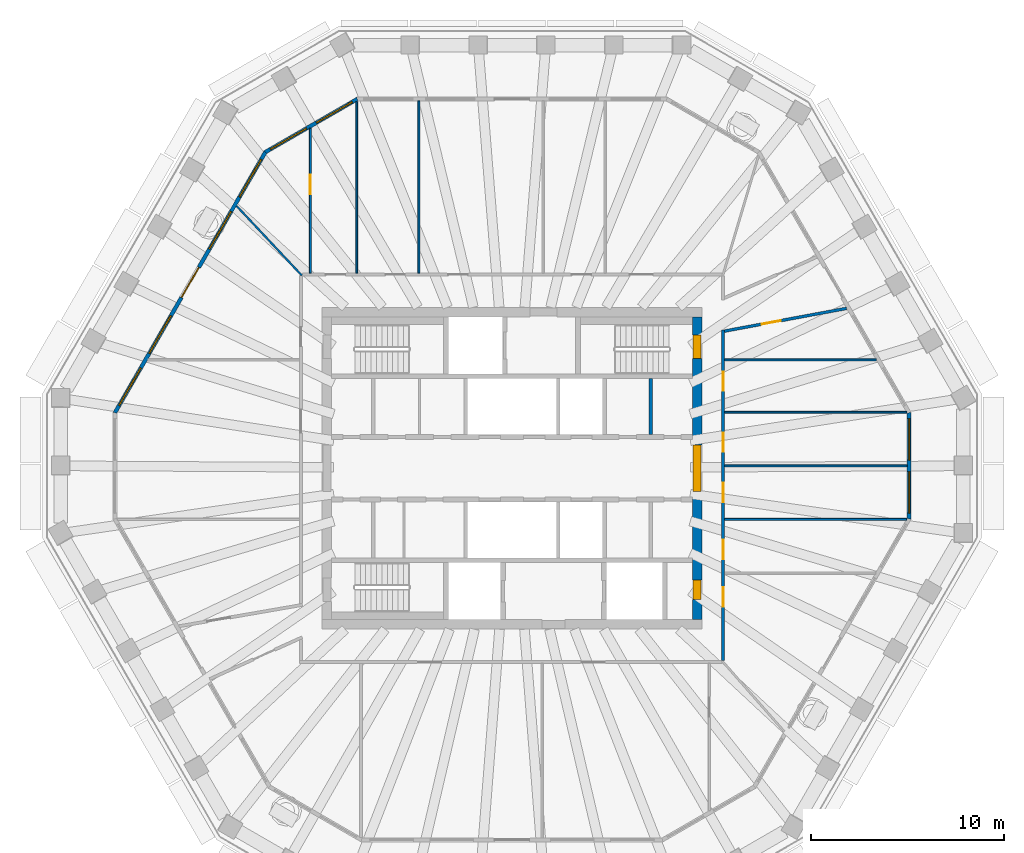
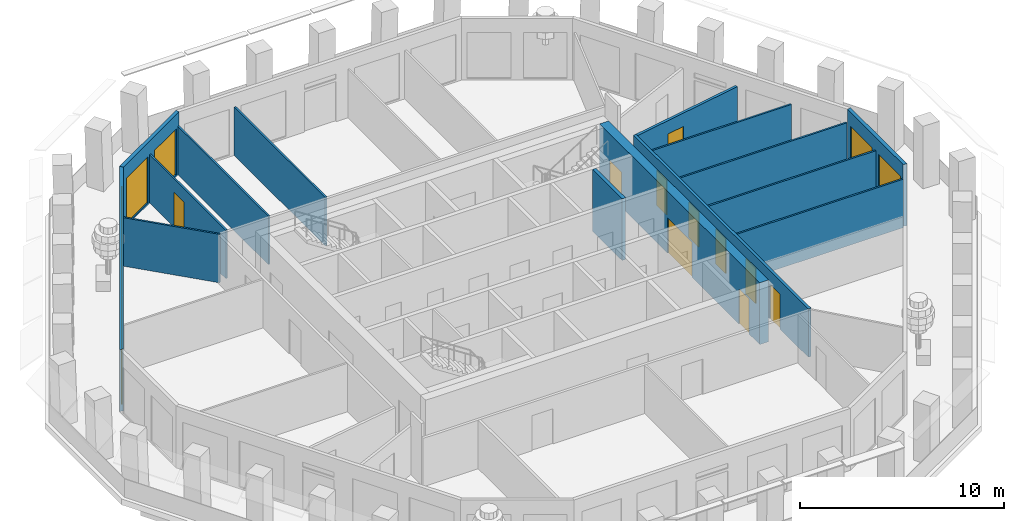
# One storey, part 6 of 12: 15 walls, 11 doors, 9 windows, 20 openings.
"""IFC4 building model written with IfcOpenShell, lengths in metres."""

from ifc_helpers import new_model, si_unit, direction, frame, frame_2d, origin, place, context, subcontext, project, spatial, polyline, rectangle, outline, extrude, material, layer, layer_set, type_object, element, fill, save


model = new_model("IFC4")

# Units and contexts
model_context = context("Model", 3, precision=1e-05, world=origin(), true_north=direction((0.0, 1.0)))
body_context = subcontext(model_context, "Body", "Model", "MODEL_VIEW")
ifc_project = project(units=[si_unit("LENGTHUNIT", "METRE"), si_unit("AREAUNIT", "SQUARE_METRE"), si_unit("VOLUMEUNIT", "CUBIC_METRE"), si_unit("PLANEANGLEUNIT", "RADIAN"), si_unit("MASSUNIT", "GRAM", prefix="KILO")], contexts=[model_context])

# Site, building, storey
site_placement = place(None, origin())
site = spatial("IfcSite", under=ifc_project, at=site_placement, CompositionType="ELEMENT")
building_placement = place(site_placement, origin())
building = spatial("IfcBuilding", under=site, at=building_placement, Name="Frailejon Research Tower", CompositionType="ELEMENT")
storey_placement = place(building_placement, frame((0.0, 0.0, 267.0)))
storey = spatial("IfcBuildingStorey", under=building, at=storey_placement, Name="L58", CompositionType="ELEMENT", Elevation=267.0)

# Wall, openings, doors
ifc_material_1 = material(Name="Concrete C50/60", Category="concrete")
ifc_layer_1 = layer(ifc_material_1, 0.5)
ifc_layer_set_1 = layer_set([ifc_layer_1], Name="Core shear wall 500 C50/60")
wall_type_1 = type_object("IfcWallType", Name="Core shear wall 500 C50/60", PredefinedType="SHEAR", material=ifc_layer_set_1)
wall_1_placement = place(storey_placement, frame((9.60009765625, -7.85009765625, 0.0), z_axis=(0.0, 0.0, 1.0), x_axis=(0.0, 1.0, 0.0)))
wall_1 = element("IfcWall", 1, at=wall_1_placement, inside=storey, type_object=wall_type_1, Name="Core shear wall", PredefinedType="SHEAR", context=body_context, shape_type="SweptSolid", body=[
    extrude(rectangle(XDim=15.7001953125, YDim=0.5, at=frame_2d((7.85009765625, 0.0))), origin(), (0.0, 0.0, 1.0), 3.699951171875),
])
opening_1_placement = place(wall_1_placement, frame((6.64990234375, 0.0, 0.0)))
opening_1 = element("IfcOpeningElement", 2, at=opening_1_placement, cuts=wall_1, Name="Opening D2", PredefinedType="OPENING", context=body_context, shape_type="SweptSolid", body=[
    extrude(rectangle(XDim=2.39990234375, YDim=2.10009765625, at=frame_2d((1.199951171875, 1.050048828125))), frame((0.0, 0.260009765625, 0.0), z_axis=(0.0, -1.0, 0.0), x_axis=(1.0, 0.0, 0.0)), (0.0, 0.0, 1.0), 0.52001953125),
])
opening_2_placement = place(wall_1_placement, frame((13.550048828125, 0.0, 0.0)))
opening_2 = element("IfcOpeningElement", 3, at=opening_2_placement, cuts=wall_1, Name="Opening D1", PredefinedType="OPENING", context=body_context, shape_type="SweptSolid", body=[
    extrude(rectangle(XDim=1.199951171875, YDim=2.10009765625, at=frame_2d((0.60009765625, 1.050048828125))), frame((0.0, 0.260009765625, 0.0), z_axis=(0.0, -1.0, 0.0), x_axis=(1.0, 0.0, 0.0)), (0.0, 0.0, 1.0), 0.52001953125),
])
opening_3_placement = place(wall_1_placement, frame((1.050048828125, 0.0, 0.0)))
opening_3 = element("IfcOpeningElement", 4, at=opening_3_placement, cuts=wall_1, Name="Opening D4", PredefinedType="OPENING", context=body_context, shape_type="SweptSolid", body=[
    extrude(rectangle(XDim=1.0, YDim=2.10009765625, at=frame_2d((0.5, 1.050048828125))), frame((0.0, 0.260009765625, 0.0), z_axis=(0.0, -1.0, 0.0), x_axis=(1.0, 0.0, 0.0)), (0.0, 0.0, 1.0), 0.52001953125),
])
ifc_material_2 = material(Name="Steel", Category="steel")
door_type_1 = type_object("IfcDoorType", Name="Lobby double door", OperationType="DOUBLE_DOOR_SINGLE_SWING", PredefinedType="DOOR", material=ifc_material_2)
door_1_placement = place(opening_1_placement, origin())
door_1 = element("IfcDoor", 5, at=door_1_placement, inside=storey, type_object=door_type_1, Name="Lobby door", OperationType="DOUBLE_DOOR_SINGLE_SWING", OverallHeight=2.10009765625, OverallWidth=2.39990234375, PredefinedType="DOOR", context=body_context, shape_type="SweptSolid", body=[
    extrude(rectangle(XDim=2.39990234375, YDim=2.10009765625, at=frame_2d((1.199951171875, 1.050048828125))), frame((0.0, 0.199951171875, 0.0), z_axis=(0.0, -1.0, 0.0), x_axis=(1.0, 0.0, 0.0)), (0.0, 0.0, 1.0), 0.39990234375),
])
fill(opening_1, door_1)
ifc_material_3 = material(Name="Steel", Category="steel")
door_type_2 = type_object("IfcDoorType", Name="Service door", OperationType="SINGLE_SWING_LEFT", PredefinedType="DOOR", material=ifc_material_3)
door_2_placement = place(opening_3_placement, origin())
door_2 = element("IfcDoor", 6, at=door_2_placement, inside=storey, type_object=door_type_2, Name="Riser door", OperationType="SINGLE_SWING_LEFT", OverallHeight=2.10009765625, OverallWidth=1.0, PredefinedType="DOOR", context=body_context, shape_type="SweptSolid", body=[
    extrude(rectangle(XDim=1.0, YDim=2.10009765625, at=frame_2d((0.5, 1.050048828125))), frame((0.0, 0.199951171875, 0.0), z_axis=(0.0, -1.0, 0.0), x_axis=(1.0, 0.0, 0.0)), (0.0, 0.0, 1.0), 0.39990234375),
])
fill(opening_3, door_2)
ifc_material_4 = material(Name="Steel", Category="steel")
door_type_3 = type_object("IfcDoorType", Name="Stair door", OperationType="SINGLE_SWING_LEFT", PredefinedType="DOOR", material=ifc_material_4)
door_3_placement = place(opening_2_placement, origin())
door_3 = element("IfcDoor", 7, at=door_3_placement, inside=storey, type_object=door_type_3, Name="Stair door ST3", OperationType="SINGLE_SWING_RIGHT", OverallHeight=2.10009765625, OverallWidth=1.199951171875, PredefinedType="DOOR", context=body_context, shape_type="SweptSolid", body=[
    extrude(rectangle(XDim=1.199951171875, YDim=2.10009765625, at=frame_2d((0.60009765625, 1.050048828125))), frame((0.0, 0.199951171875, 0.0), z_axis=(0.0, -1.0, 0.0), x_axis=(1.0, 0.0, 0.0)), (0.0, 0.0, 1.0), 0.39990234375),
])
fill(opening_2, door_3)

# Wall, opening, door
ifc_material_5 = material(Name="Gypsum board and masonry partition", Category="masonry")
ifc_layer_2 = layer(ifc_material_5, 0.14990234375)
ifc_layer_set_2 = layer_set([ifc_layer_2], Name="Corridor wall EI 60, gypsum on steel studs 150")
wall_type_2 = type_object("IfcWallType", Name="Corridor wall EI 60, gypsum on steel studs 150", PredefinedType="PARTITIONING", material=ifc_layer_set_2)
wall_2_placement = place(storey_placement, frame((11.023681640625, 7.11376953125, 0.0), z_axis=(0.0, 0.0, 1.0), x_axis=(0.983112128924, 0.183004212962, 0.0)))
wall_2 = element("IfcWall", 8, at=wall_2_placement, inside=storey, type_object=wall_type_2, Name="T:IW:L58:001", PredefinedType="PARTITIONING", context=body_context, shape_type="SweptSolid", body=[
    extrude(rectangle(XDim=6.439453125, YDim=0.14990234375, at=frame_2d((3.2197265625, 0.0))), origin(), (0.0, 0.0, 1.0), 2.89990234375),
])
opening_4_placement = place(wall_2_placement, frame((1.960205078125, 0.0, 0.0)))
opening_4 = element("IfcOpeningElement", 9, at=opening_4_placement, cuts=wall_2, Name="Opening D2113", PredefinedType="OPENING", context=body_context, shape_type="SweptSolid", body=[
    extrude(rectangle(XDim=1.0, YDim=2.10009765625, at=frame_2d((0.5, 1.050048828125))), frame((0.0, 0.0849609375, 0.0), z_axis=(0.0, -1.0, 0.0), x_axis=(1.0, 0.0, 0.0)), (0.0, 0.0, 1.0), 0.169921875),
])
ifc_material_6 = material(Name="Timber door leaf", Category="wood")
door_type_4 = type_object("IfcDoorType", Name="Door single leaf, timber, steel frame 1000", OperationType="NOTDEFINED", PredefinedType="DOOR", material=ifc_material_6)
door_4_placement = place(opening_4_placement, origin())
door_4 = element("IfcDoor", 10, at=door_4_placement, inside=storey, type_object=door_type_4, Name="D2113", OperationType="SINGLE_SWING_RIGHT", OverallHeight=2.10009765625, OverallWidth=1.0, PredefinedType="DOOR", context=body_context, shape_type="SweptSolid", body=[
    extrude(rectangle(XDim=1.0, YDim=2.10009765625, at=frame_2d((0.5, 1.050048828125))), frame((0.0, 0.02490234375, 0.0), z_axis=(0.0, -1.0, 0.0), x_axis=(1.0, 0.0, 0.0)), (0.0, 0.0, 1.0), 0.050048828125),
])
fill(opening_4, door_4)

# Wall, openings, doors
wall_3_placement = place(storey_placement, frame((10.949951171875, -9.97509765625, 0.0), z_axis=(0.0, 0.0, 1.0), x_axis=(0.0, 1.0, 0.0)))
wall_3 = element("IfcWall", 11, at=wall_3_placement, inside=storey, type_object=wall_type_2, Name="T:IW:L58:003", PredefinedType="PARTITIONING", context=body_context, shape_type="SweptSolid", body=[
    extrude(rectangle(XDim=17.150146484375, YDim=0.14990234375, at=frame_2d((8.5751953125, 0.0))), origin(), (0.0, 0.0, 1.0), 2.89990234375),
])
opening_5_placement = place(wall_3_placement, frame((10.828125, 0.0, 0.0)))
opening_5 = element("IfcOpeningElement", 12, at=opening_5_placement, cuts=wall_3, Name="Opening D2111", PredefinedType="OPENING", context=body_context, shape_type="SweptSolid", body=[
    extrude(rectangle(XDim=1.0, YDim=2.10009765625, at=frame_2d((0.5, 1.050048828125))), frame((0.0, 0.0849609375, 0.0), z_axis=(0.0, -1.0, 0.0), x_axis=(1.0, 0.0, 0.0)), (0.0, 0.0, 1.0), 0.169921875),
])
opening_6_placement = place(wall_3_placement, frame((13.9892578125, 0.0, 0.0)))
opening_6 = element("IfcOpeningElement", 13, at=opening_6_placement, cuts=wall_3, Name="Opening D2112", PredefinedType="OPENING", context=body_context, shape_type="SweptSolid", body=[
    extrude(rectangle(XDim=1.0, YDim=2.10009765625, at=frame_2d((0.5, 1.050048828125))), frame((0.0, 0.0849609375, 0.0), z_axis=(0.0, -1.0, 0.0), x_axis=(1.0, 0.0, 0.0)), (0.0, 0.0, 1.0), 0.169921875),
])
opening_7_placement = place(wall_3_placement, frame((2.80224609375, 0.0, 0.0)))
opening_7 = element("IfcOpeningElement", 14, at=opening_7_placement, cuts=wall_3, Name="Opening D2128", PredefinedType="OPENING", context=body_context, shape_type="SweptSolid", body=[
    extrude(rectangle(XDim=1.0, YDim=2.10009765625, at=frame_2d((0.5, 1.050048828125))), frame((0.0, 0.0849609375, 0.0), z_axis=(0.0, -1.0, 0.0), x_axis=(1.0, 0.0, 0.0)), (0.0, 0.0, 1.0), 0.169921875),
])
opening_8_placement = place(wall_3_placement, frame((5.264404296875, 0.0, 0.0)))
opening_8 = element("IfcOpeningElement", 15, at=opening_8_placement, cuts=wall_3, Name="Opening D2129", PredefinedType="OPENING", context=body_context, shape_type="SweptSolid", body=[
    extrude(rectangle(XDim=1.0, YDim=2.10009765625, at=frame_2d((0.5, 1.050048828125))), frame((0.0, 0.0849609375, 0.0), z_axis=(0.0, -1.0, 0.0), x_axis=(1.0, 0.0, 0.0)), (0.0, 0.0, 1.0), 0.169921875),
])
opening_9_placement = place(wall_3_placement, frame((8.21142578125, 0.0, 0.0)))
opening_9 = element("IfcOpeningElement", 16, at=opening_9_placement, cuts=wall_3, Name="Opening D2130", PredefinedType="OPENING", context=body_context, shape_type="SweptSolid", body=[
    extrude(rectangle(XDim=1.0, YDim=2.10009765625, at=frame_2d((0.5, 1.050048828125))), frame((0.0, 0.0849609375, 0.0), z_axis=(0.0, -1.0, 0.0), x_axis=(1.0, 0.0, 0.0)), (0.0, 0.0, 1.0), 0.169921875),
])
door_5_placement = place(opening_5_placement, origin())
door_5 = element("IfcDoor", 17, at=door_5_placement, inside=storey, type_object=door_type_4, Name="D2111", OperationType="SINGLE_SWING_LEFT", OverallHeight=2.10009765625, OverallWidth=1.0, PredefinedType="DOOR", context=body_context, shape_type="SweptSolid", body=[
    extrude(rectangle(XDim=1.0, YDim=2.10009765625, at=frame_2d((0.5, 1.050048828125))), frame((0.0, 0.02490234375, 0.0), z_axis=(0.0, -1.0, 0.0), x_axis=(1.0, 0.0, 0.0)), (0.0, 0.0, 1.0), 0.050048828125),
])
fill(opening_5, door_5)
door_6_placement = place(opening_6_placement, origin())
door_6 = element("IfcDoor", 18, at=door_6_placement, inside=storey, type_object=door_type_4, Name="D2112", OperationType="SINGLE_SWING_LEFT", OverallHeight=2.10009765625, OverallWidth=1.0, PredefinedType="DOOR", context=body_context, shape_type="SweptSolid", body=[
    extrude(rectangle(XDim=1.0, YDim=2.10009765625, at=frame_2d((0.5, 1.050048828125))), frame((0.0, 0.02490234375, 0.0), z_axis=(0.0, -1.0, 0.0), x_axis=(1.0, 0.0, 0.0)), (0.0, 0.0, 1.0), 0.050048828125),
])
fill(opening_6, door_6)
door_7_placement = place(opening_7_placement, origin())
door_7 = element("IfcDoor", 19, at=door_7_placement, inside=storey, type_object=door_type_4, Name="D2128", OperationType="SINGLE_SWING_LEFT", OverallHeight=2.10009765625, OverallWidth=1.0, PredefinedType="DOOR", context=body_context, shape_type="SweptSolid", body=[
    extrude(rectangle(XDim=1.0, YDim=2.10009765625, at=frame_2d((0.5, 1.050048828125))), frame((0.0, 0.02490234375, 0.0), z_axis=(0.0, -1.0, 0.0), x_axis=(1.0, 0.0, 0.0)), (0.0, 0.0, 1.0), 0.050048828125),
])
fill(opening_7, door_7)
door_8_placement = place(opening_8_placement, origin())
door_8 = element("IfcDoor", 20, at=door_8_placement, inside=storey, type_object=door_type_4, Name="D2129", OperationType="SINGLE_SWING_RIGHT", OverallHeight=2.10009765625, OverallWidth=1.0, PredefinedType="DOOR", context=body_context, shape_type="SweptSolid", body=[
    extrude(rectangle(XDim=1.0, YDim=2.10009765625, at=frame_2d((0.5, 1.050048828125))), frame((0.0, 0.02490234375, 0.0), z_axis=(0.0, -1.0, 0.0), x_axis=(1.0, 0.0, 0.0)), (0.0, 0.0, 1.0), 0.050048828125),
])
fill(opening_8, door_8)
door_9_placement = place(opening_9_placement, origin())
door_9 = element("IfcDoor", 21, at=door_9_placement, inside=storey, type_object=door_type_4, Name="D2130", OperationType="SINGLE_SWING_LEFT", OverallHeight=2.10009765625, OverallWidth=1.0, PredefinedType="DOOR", context=body_context, shape_type="SweptSolid", body=[
    extrude(rectangle(XDim=1.0, YDim=2.10009765625, at=frame_2d((0.5, 1.050048828125))), frame((0.0, 0.02490234375, 0.0), z_axis=(0.0, -1.0, 0.0), x_axis=(1.0, 0.0, 0.0)), (0.0, 0.0, 1.0), 0.050048828125),
])
fill(opening_9, door_9)

# Walls
ifc_material_7 = material(Name="Gypsum board and masonry partition", Category="masonry")
ifc_layer_3 = layer(ifc_material_7, 0.10009765625)
ifc_layer_set_3 = layer_set([ifc_layer_3], Name="Partition, gypsum on steel studs 100")
wall_type_3 = type_object("IfcWallType", Name="Partition, gypsum on steel studs 100", PredefinedType="PARTITIONING", material=ifc_layer_set_3)
wall_4_placement = place(storey_placement, frame((11.02490234375, 2.904296875, 0.0), z_axis=(0.0, 0.0, 1.0), x_axis=(1.0, 0.0, 0.0)))
element("IfcWall", 22, at=wall_4_placement, inside=storey, type_object=wall_type_3, Name="T:IW:L58:012", PredefinedType="PARTITIONING", context=body_context, shape_type="SweptSolid", body=[
    extrude(rectangle(XDim=9.440673828125, YDim=0.10009765625, at=frame_2d((4.72021484375, 0.0))), origin(), (0.0, 0.0, 1.0), 2.89990234375),
])
wall_5_placement = place(storey_placement, frame((11.02490234375, 0.125732421875, 0.0), z_axis=(0.0, 0.0, 1.0), x_axis=(1.0, 0.0, 0.0)))
element("IfcWall", 23, at=wall_5_placement, inside=storey, type_object=wall_type_3, Name="T:IW:L58:013", PredefinedType="PARTITIONING", context=body_context, shape_type="SweptSolid", body=[
    extrude(rectangle(XDim=9.471435546875, YDim=0.10009765625, at=frame_2d((4.73583984375, 0.0))), origin(), (0.0, 0.0, 1.0), 2.89990234375),
])
wall_6_placement = place(storey_placement, frame((11.02490234375, 5.61767578125, 0.0), z_axis=(0.0, 0.0, 1.0), x_axis=(1.0, 0.0, 0.0)))
element("IfcWall", 24, at=wall_6_placement, inside=storey, type_object=wall_type_3, Name="T:IW:L58:015", PredefinedType="PARTITIONING", context=body_context, shape_type="SweptSolid", body=[
    extrude(rectangle(XDim=7.873779296875, YDim=0.10009765625, at=frame_2d((3.93701171875, 0.0))), origin(), (0.0, 0.0, 1.0), 2.89990234375),
])
wall_7_placement = place(storey_placement, frame((-4.83056640625, 10.125, 0.0), z_axis=(0.0, 0.0, 1.0), x_axis=(0.0, 1.0, 0.0)))
element("IfcWall", 25, at=wall_7_placement, inside=storey, type_object=wall_type_3, Name="T:IW:L58:019", PredefinedType="PARTITIONING", context=body_context, shape_type="SweptSolid", body=[
    extrude(rectangle(XDim=8.925048828125, YDim=0.10009765625, at=frame_2d((4.46240234375, 0.0))), origin(), (0.0, 0.0, 1.0), 2.89990234375),
])
wall_8_placement = place(storey_placement, frame((-8.05078125, 10.125, 0.0), z_axis=(0.0, 0.0, 1.0), x_axis=(0.0, 1.0, 0.0)))
element("IfcWall", 26, at=wall_8_placement, inside=storey, type_object=wall_type_3, Name="T:IW:L58:020", PredefinedType="PARTITIONING", context=body_context, shape_type="SweptSolid", body=[
    extrude(rectangle(XDim=8.89404296875, YDim=0.10009765625, at=frame_2d((4.447021484375, 0.0))), origin(), (0.0, 0.0, 1.0), 2.89990234375),
])

# Wall, opening, door
wall_9_placement = place(storey_placement, frame((-10.45703125, 10.125, 0.0), z_axis=(0.0, 0.0, 1.0), x_axis=(0.0, 1.0, 0.0)))
wall_9 = element("IfcWall", 27, at=wall_9_placement, inside=storey, type_object=wall_type_3, Name="T:IW:L58:021", PredefinedType="PARTITIONING", context=body_context, shape_type="SweptSolid", body=[
    extrude(rectangle(XDim=7.5048828125, YDim=0.10009765625, at=frame_2d((3.75244140625, 0.0))), origin(), (0.0, 0.0, 1.0), 2.89990234375),
])
opening_10_placement = place(wall_9_placement, frame((4.096923828125, 0.0, 0.0)))
opening_10 = element("IfcOpeningElement", 28, at=opening_10_placement, cuts=wall_9, Name="Opening D2120", PredefinedType="OPENING", context=body_context, shape_type="SweptSolid", body=[
    extrude(rectangle(XDim=1.0, YDim=2.10009765625, at=frame_2d((0.5, 1.050048828125))), frame((0.0, 0.06005859375, 0.0), z_axis=(0.0, -1.0, 0.0), x_axis=(1.0, 0.0, 0.0)), (0.0, 0.0, 1.0), 0.1201171875),
])
door_10_placement = place(opening_10_placement, origin())
door_10 = element("IfcDoor", 29, at=door_10_placement, inside=storey, type_object=door_type_4, Name="D2120", OperationType="SINGLE_SWING_LEFT", OverallHeight=2.10009765625, OverallWidth=1.0, PredefinedType="DOOR", context=body_context, shape_type="SweptSolid", body=[
    extrude(rectangle(XDim=1.0, YDim=2.10009765625, at=frame_2d((0.5, 1.050048828125))), frame((0.0, 0.02490234375, 0.0), z_axis=(0.0, -1.0, 0.0), x_axis=(1.0, 0.0, 0.0)), (0.0, 0.0, 1.0), 0.050048828125),
])
fill(opening_10, door_10)

# Walls
wall_10_placement = place(storey_placement, frame((-14.286865234375, 13.605712890625, 0.0), z_axis=(0.0, 0.0, 1.0), x_axis=(0.684315010891, -0.729186509659, 0.0)))
element("IfcWall", 30, at=wall_10_placement, inside=storey, type_object=wall_type_3, Name="T:IW:L58:022", PredefinedType="PARTITIONING", context=body_context, shape_type="SweptSolid", body=[
    extrude(rectangle(XDim=4.951171875, YDim=0.10009765625, at=frame_2d((2.4755859375, 0.0))), origin(), (0.0, 0.0, 1.0), 2.89990234375),
])
wall_11_placement = place(storey_placement, frame((11.02490234375, -2.65283203125, 0.0), z_axis=(0.0, 0.0, 1.0), x_axis=(1.0, 0.0, 0.0)))
element("IfcWall", 31, at=wall_11_placement, inside=storey, type_object=wall_type_3, Name="T:IW:L58:024", PredefinedType="PARTITIONING", context=body_context, shape_type="SweptSolid", body=[
    extrude(rectangle(XDim=9.440673828125, YDim=0.10009765625, at=frame_2d((4.72021484375, 0.0))), origin(), (0.0, 0.0, 1.0), 2.89990234375),
])
ifc_material_8 = material(Name="Concrete C50/60", Category="concrete")
ifc_layer_4 = layer(ifc_material_8, 0.199951171875)
ifc_layer_set_4 = layer_set([ifc_layer_4], Name="Shaft wall 200 C50/60")
wall_type_4 = type_object("IfcWallType", Name="Shaft wall 200 C50/60", PredefinedType="SOLIDWALL", material=ifc_layer_set_4)
wall_12_placement = place(storey_placement, frame((7.199951171875, 1.75, 0.0), z_axis=(0.0, 0.0, 1.0), x_axis=(0.0, 1.0, 0.0)))
element("IfcWall", 32, at=wall_12_placement, inside=storey, type_object=wall_type_4, Name="Shaft wall", PredefinedType="SOLIDWALL", context=body_context, shape_type="SweptSolid", body=[
    extrude(rectangle(XDim=2.89990234375, YDim=0.199951171875, at=frame_2d((1.449951171875, 0.0))), origin(), (0.0, 0.0, 1.0), 3.699951171875),
])

# Wall, openings, windows
ifc_material_9 = material(Name="Concrete C40/50 precast window wall panel", Category="concrete")
ifc_layer_5 = layer(ifc_material_9, 0.199951171875)
ifc_layer_set_5 = layer_set([ifc_layer_5], Name="Window wall 200")
wall_type_5 = type_object("IfcWallType", Name="Window wall 200", PredefinedType="SOLIDWALL", material=ifc_layer_set_5)
wall_13_placement = place(storey_placement, frame((20.596435546875, -2.6259765625, 0.0), z_axis=(0.0, 0.0, 1.0), x_axis=(0.0, 1.0, 0.0)))
wall_13 = element("IfcWall", 33, at=wall_13_placement, inside=storey, type_object=wall_type_5, Name="Exterior wall L58", PredefinedType="SOLIDWALL", context=body_context, shape_type="SweptSolid", body=[
    extrude(outline(polyline([(-0.02685546875, -0.10009765625), (1.08447265625, -0.10009765625), (2.196044921875, -0.10009765625), (3.307373046875, -0.10009765625), (4.4189453125, -0.10009765625), (5.5302734375, -0.10009765625), (5.4765625, 0.10009765625), (4.38671875, 0.10009765625), (3.296630859375, 0.10009765625), (2.206787109375, 0.10009765625), (1.11669921875, 0.10009765625), (0.02685546875, 0.10009765625), (-0.02685546875, -0.10009765625)])), origin(), (0.0, 0.0, 1.0), 3.699951171875),
])
opening_11_placement = place(wall_13_placement, frame((0.30078125, 0.0, 0.10009765625)))
opening_11 = element("IfcOpeningElement", 34, at=opening_11_placement, cuts=wall_13, Name="Opening W22", PredefinedType="OPENING", context=body_context, shape_type="SweptSolid", body=[
    extrude(rectangle(XDim=2.14990234375, YDim=2.75, at=frame_2d((1.074951171875, 1.375))), frame((0.0, 0.10986328125, 0.0), z_axis=(0.0, -1.0, 0.0), x_axis=(1.0, 0.0, 0.0)), (0.0, 0.0, 1.0), 0.219970703125),
])
opening_12_placement = place(wall_13_placement, frame((3.052490234375, 0.0, 0.10009765625)))
opening_12 = element("IfcOpeningElement", 35, at=opening_12_placement, cuts=wall_13, Name="Opening W22", PredefinedType="OPENING", context=body_context, shape_type="SweptSolid", body=[
    extrude(rectangle(XDim=2.14990234375, YDim=2.75, at=frame_2d((1.074951171875, 1.375))), frame((0.0, 0.10986328125, 0.0), z_axis=(0.0, -1.0, 0.0), x_axis=(1.0, 0.0, 0.0)), (0.0, 0.0, 1.0), 0.219970703125),
])
ifc_material_10 = material(Name="Aluminium framed double glazing", Category="aluminium")
window_type_1 = type_object("IfcWindowType", Name="Window 2150x2750", PartitioningType="SINGLE_PANEL", PredefinedType="WINDOW", material=ifc_material_10)
window_1_placement = place(opening_11_placement, origin())
window_1 = element("IfcWindow", 36, at=window_1_placement, inside=storey, type_object=window_type_1, Name="Window L58", OverallHeight=2.75, OverallWidth=2.14990234375, PartitioningType="SINGLE_PANEL", PredefinedType="WINDOW", context=body_context, shape_type="SweptSolid", body=[
    extrude(rectangle(XDim=2.14990234375, YDim=2.75, at=frame_2d((1.074951171875, 1.375))), frame((0.0, 0.030029296875, 0.0), z_axis=(0.0, -1.0, 0.0), x_axis=(1.0, 0.0, 0.0)), (0.0, 0.0, 1.0), 0.06005859375),
])
fill(opening_11, window_1)
window_2_placement = place(opening_12_placement, origin())
window_2 = element("IfcWindow", 37, at=window_2_placement, inside=storey, type_object=window_type_1, Name="Window L58", OverallHeight=2.75, OverallWidth=2.14990234375, PartitioningType="SINGLE_PANEL", PredefinedType="WINDOW", context=body_context, shape_type="SweptSolid", body=[
    extrude(rectangle(XDim=2.14990234375, YDim=2.75, at=frame_2d((1.074951171875, 1.375))), frame((0.0, 0.030029296875, 0.0), z_axis=(0.0, -1.0, 0.0), x_axis=(1.0, 0.0, 0.0)), (0.0, 0.0, 1.0), 0.06005859375),
])
fill(opening_12, window_2)

wall_14_placement = place(storey_placement, frame((-8.02392578125, 19.14990234375, 0.0), z_axis=(0.0, 0.0, 1.0), x_axis=(-0.866026017613, -0.499998936816, 0.0)))
wall_14 = element("IfcWall", 38, at=wall_14_placement, inside=storey, type_object=wall_type_5, Name="Exterior wall L58", PredefinedType="SOLIDWALL", context=body_context, shape_type="SweptSolid", body=[
    extrude(outline(polyline([(-0.02685546875, -0.10009765625), (1.08447265625, -0.10009765625), (2.196044921875, -0.10009765625), (3.307373046875, -0.10009765625), (4.4189453125, -0.10009765625), (5.5302734375, -0.10009765625), (5.4765625, 0.10009765625), (4.38671875, 0.10009765625), (3.296630859375, 0.10009765625), (2.206787109375, 0.10009765625), (1.11669921875, 0.10009765625), (0.02685546875, 0.10009765625), (-0.02685546875, -0.10009765625)])), origin(), (0.0, 0.0, 1.0), 3.699951171875),
])
opening_13_placement = place(wall_14_placement, frame((0.30078125, 0.0, 0.10009765625)))
opening_13 = element("IfcOpeningElement", 39, at=opening_13_placement, cuts=wall_14, Name="Opening W22", PredefinedType="OPENING", context=body_context, shape_type="SweptSolid", body=[
    extrude(rectangle(XDim=2.14990234375, YDim=2.75, at=frame_2d((1.074951171875, 1.375))), frame((0.0, 0.10986328125, 0.0), z_axis=(0.0, -1.0, 0.0), x_axis=(1.0, 0.0, 0.0)), (0.0, 0.0, 1.0), 0.219970703125),
])
opening_14_placement = place(wall_14_placement, frame((3.052490234375, 0.0, 0.10009765625)))
opening_14 = element("IfcOpeningElement", 40, at=opening_14_placement, cuts=wall_14, Name="Opening W22", PredefinedType="OPENING", context=body_context, shape_type="SweptSolid", body=[
    extrude(rectangle(XDim=2.14990234375, YDim=2.75, at=frame_2d((1.074951171875, 1.375))), frame((0.0, 0.10986328125, 0.0), z_axis=(0.0, -1.0, 0.0), x_axis=(1.0, 0.0, 0.0)), (0.0, 0.0, 1.0), 0.219970703125),
])
window_3_placement = place(opening_13_placement, origin())
window_3 = element("IfcWindow", 41, at=window_3_placement, inside=storey, type_object=window_type_1, Name="Window L58", OverallHeight=2.75, OverallWidth=2.14990234375, PartitioningType="SINGLE_PANEL", PredefinedType="WINDOW", context=body_context, shape_type="SweptSolid", body=[
    extrude(rectangle(XDim=2.14990234375, YDim=2.75, at=frame_2d((1.074951171875, 1.375))), frame((0.0, 0.030029296875, 0.0), z_axis=(0.0, -1.0, 0.0), x_axis=(1.0, 0.0, 0.0)), (0.0, 0.0, 1.0), 0.06005859375),
])
fill(opening_13, window_3)
window_4_placement = place(opening_14_placement, origin())
window_4 = element("IfcWindow", 42, at=window_4_placement, inside=storey, type_object=window_type_1, Name="Window L58", OverallHeight=2.75, OverallWidth=2.14990234375, PartitioningType="SINGLE_PANEL", PredefinedType="WINDOW", context=body_context, shape_type="SweptSolid", body=[
    extrude(rectangle(XDim=2.14990234375, YDim=2.75, at=frame_2d((1.074951171875, 1.375))), frame((0.0, 0.030029296875, 0.0), z_axis=(0.0, -1.0, 0.0), x_axis=(1.0, 0.0, 0.0)), (0.0, 0.0, 1.0), 0.06005859375),
])
fill(opening_14, window_4)

# Wall, openings, door, windows
wall_15_placement = place(storey_placement, frame((-12.7900390625, 16.398193359375, 0.0), z_axis=(0.0, 0.0, 1.0), x_axis=(-0.500008968961, -0.86602022549, 0.0)))
wall_15 = element("IfcWall", 43, at=wall_15_placement, inside=storey, type_object=wall_type_5, Name="Exterior wall L58", PredefinedType="SOLIDWALL", context=body_context, shape_type="SweptSolid", body=[
    extrude(outline(polyline([(-0.02685546875, -0.10009765625), (1.017578125, -0.10009765625), (2.06201171875, -0.10009765625), (3.1064453125, -0.10009765625), (4.15087890625, -0.10009765625), (5.1953125, -0.10009765625), (6.23974609375, -0.10009765625), (7.2841796875, -0.10009765625), (8.328369140625, -0.10009765625), (9.372802734375, -0.10009765625), (10.417236328125, -0.10009765625), (11.461669921875, -0.10009765625), (12.506103515625, -0.10009765625), (13.550537109375, -0.10009765625), (14.594970703125, -0.10009765625), (15.639404296875, -0.10009765625), (15.585693359375, 0.10009765625), (14.54833984375, 0.10009765625), (13.51123046875, 0.10009765625), (12.473876953125, 0.10009765625), (11.436767578125, 0.10009765625), (10.3994140625, 0.10009765625), (9.362060546875, 0.10009765625), (8.324951171875, 0.10009765625), (7.28759765625, 0.10009765625), (6.25048828125, 0.10009765625), (5.213134765625, 0.10009765625), (4.17578125, 0.10009765625), (3.138671875, 0.10009765625), (2.101318359375, 0.10009765625), (1.064208984375, 0.10009765625), (0.02685546875, 0.10009765625), (-0.02685546875, -0.10009765625)])), origin(), (0.0, 0.0, 1.0), 3.699951171875),
])
opening_15_placement = place(wall_15_placement, frame((0.436279296875, 0.0, 0.10009765625)))
opening_15 = element("IfcOpeningElement", 44, at=opening_15_placement, cuts=wall_15, Name="Opening W23", PredefinedType="OPENING", context=body_context, shape_type="SweptSolid", body=[
    extrude(rectangle(XDim=2.25, YDim=2.75, at=frame_2d((1.125, 1.375))), frame((0.0, 0.10986328125, 0.0), z_axis=(0.0, -1.0, 0.0), x_axis=(1.0, 0.0, 0.0)), (0.0, 0.0, 1.0), 0.219970703125),
])
opening_16_placement = place(wall_15_placement, frame((3.558837890625, 0.0, 0.10009765625)))
opening_16 = element("IfcOpeningElement", 45, at=opening_16_placement, cuts=wall_15, Name="Opening W23", PredefinedType="OPENING", context=body_context, shape_type="SweptSolid", body=[
    extrude(rectangle(XDim=2.25, YDim=2.75, at=frame_2d((1.125, 1.375))), frame((0.0, 0.10986328125, 0.0), z_axis=(0.0, -1.0, 0.0), x_axis=(1.0, 0.0, 0.0)), (0.0, 0.0, 1.0), 0.219970703125),
])
opening_17_placement = place(wall_15_placement, frame((6.90625, 0.0, 0.0)))
opening_17 = element("IfcOpeningElement", 46, at=opening_17_placement, cuts=wall_15, Name="Opening LG58-3", PredefinedType="OPENING", context=body_context, shape_type="SweptSolid", body=[
    extrude(rectangle(XDim=1.800048828125, YDim=2.39990234375, at=frame_2d((0.89990234375, 1.199951171875))), frame((0.0, 0.10986328125, 0.0), z_axis=(0.0, -1.0, 0.0), x_axis=(1.0, 0.0, 0.0)), (0.0, 0.0, 1.0), 0.219970703125),
])
opening_18_placement = place(wall_15_placement, frame((6.90625, 0.0, 2.550048828125)))
opening_18 = element("IfcOpeningElement", 47, at=opening_18_placement, cuts=wall_15, Name="Opening W24", PredefinedType="OPENING", context=body_context, shape_type="SweptSolid", body=[
    extrude(rectangle(XDim=1.800048828125, YDim=0.300048828125, at=frame_2d((0.89990234375, 0.14990234375))), frame((0.0, 0.10986328125, 0.0), z_axis=(0.0, -1.0, 0.0), x_axis=(1.0, 0.0, 0.0)), (0.0, 0.0, 1.0), 0.219970703125),
])
opening_19_placement = place(wall_15_placement, frame((9.8037109375, 0.0, 0.10009765625)))
opening_19 = element("IfcOpeningElement", 48, at=opening_19_placement, cuts=wall_15, Name="Opening W23", PredefinedType="OPENING", context=body_context, shape_type="SweptSolid", body=[
    extrude(rectangle(XDim=2.25, YDim=2.75, at=frame_2d((1.125, 1.375))), frame((0.0, 0.10986328125, 0.0), z_axis=(0.0, -1.0, 0.0), x_axis=(1.0, 0.0, 0.0)), (0.0, 0.0, 1.0), 0.219970703125),
])
opening_20_placement = place(wall_15_placement, frame((12.92626953125, 0.0, 0.10009765625)))
opening_20 = element("IfcOpeningElement", 49, at=opening_20_placement, cuts=wall_15, Name="Opening W23", PredefinedType="OPENING", context=body_context, shape_type="SweptSolid", body=[
    extrude(rectangle(XDim=2.25, YDim=2.75, at=frame_2d((1.125, 1.375))), frame((0.0, 0.10986328125, 0.0), z_axis=(0.0, -1.0, 0.0), x_axis=(1.0, 0.0, 0.0)), (0.0, 0.0, 1.0), 0.219970703125),
])
ifc_material_11 = material(Name="Aluminium framed glazed door leaf", Category="aluminium")
door_type_5 = type_object("IfcDoorType", Name="Loggia door 1800x2400", OperationType="DOUBLE_DOOR_SINGLE_SWING", PredefinedType="DOOR", material=ifc_material_11)
door_11_placement = place(opening_17_placement, origin())
door_11 = element("IfcDoor", 50, at=door_11_placement, inside=storey, type_object=door_type_5, Name="Door LG58-3", OperationType="DOUBLE_DOOR_SINGLE_SWING", OverallHeight=2.39990234375, OverallWidth=1.800048828125, PredefinedType="DOOR", context=body_context, shape_type="SweptSolid", body=[
    extrude(rectangle(XDim=1.800048828125, YDim=2.39990234375, at=frame_2d((0.89990234375, 1.199951171875))), frame((0.0, 0.02490234375, 0.0), z_axis=(0.0, -1.0, 0.0), x_axis=(1.0, 0.0, 0.0)), (0.0, 0.0, 1.0), 0.050048828125),
])
fill(opening_17, door_11)
ifc_material_12 = material(Name="Aluminium framed double glazing", Category="aluminium")
window_type_2 = type_object("IfcWindowType", Name="Window 1800x300", PartitioningType="SINGLE_PANEL", PredefinedType="WINDOW", material=ifc_material_12)
window_5_placement = place(opening_18_placement, origin())
window_5 = element("IfcWindow", 51, at=window_5_placement, inside=storey, type_object=window_type_2, Name="Window L58", OverallHeight=0.300048828125, OverallWidth=1.800048828125, PartitioningType="SINGLE_PANEL", PredefinedType="WINDOW", context=body_context, shape_type="SweptSolid", body=[
    extrude(rectangle(XDim=1.800048828125, YDim=0.300048828125, at=frame_2d((0.89990234375, 0.14990234375))), frame((0.0, 0.030029296875, 0.0), z_axis=(0.0, -1.0, 0.0), x_axis=(1.0, 0.0, 0.0)), (0.0, 0.0, 1.0), 0.06005859375),
])
fill(opening_18, window_5)
ifc_material_13 = material(Name="Aluminium framed double glazing", Category="aluminium")
window_type_3 = type_object("IfcWindowType", Name="Window 2250x2750", PartitioningType="SINGLE_PANEL", PredefinedType="WINDOW", material=ifc_material_13)
window_6_placement = place(opening_15_placement, origin())
window_6 = element("IfcWindow", 52, at=window_6_placement, inside=storey, type_object=window_type_3, Name="Window L58", OverallHeight=2.75, OverallWidth=2.25, PartitioningType="SINGLE_PANEL", PredefinedType="WINDOW", context=body_context, shape_type="SweptSolid", body=[
    extrude(rectangle(XDim=2.25, YDim=2.75, at=frame_2d((1.125, 1.375))), frame((0.0, 0.030029296875, 0.0), z_axis=(0.0, -1.0, 0.0), x_axis=(1.0, 0.0, 0.0)), (0.0, 0.0, 1.0), 0.06005859375),
])
fill(opening_15, window_6)
window_7_placement = place(opening_16_placement, origin())
window_7 = element("IfcWindow", 53, at=window_7_placement, inside=storey, type_object=window_type_3, Name="Window L58", OverallHeight=2.75, OverallWidth=2.25, PartitioningType="SINGLE_PANEL", PredefinedType="WINDOW", context=body_context, shape_type="SweptSolid", body=[
    extrude(rectangle(XDim=2.25, YDim=2.75, at=frame_2d((1.125, 1.375))), frame((0.0, 0.030029296875, 0.0), z_axis=(0.0, -1.0, 0.0), x_axis=(1.0, 0.0, 0.0)), (0.0, 0.0, 1.0), 0.06005859375),
])
fill(opening_16, window_7)
window_8_placement = place(opening_19_placement, origin())
window_8 = element("IfcWindow", 54, at=window_8_placement, inside=storey, type_object=window_type_3, Name="Window L58", OverallHeight=2.75, OverallWidth=2.25, PartitioningType="SINGLE_PANEL", PredefinedType="WINDOW", context=body_context, shape_type="SweptSolid", body=[
    extrude(rectangle(XDim=2.25, YDim=2.75, at=frame_2d((1.125, 1.375))), frame((0.0, 0.030029296875, 0.0), z_axis=(0.0, -1.0, 0.0), x_axis=(1.0, 0.0, 0.0)), (0.0, 0.0, 1.0), 0.06005859375),
])
fill(opening_19, window_8)
window_9_placement = place(opening_20_placement, origin())
window_9 = element("IfcWindow", 55, at=window_9_placement, inside=storey, type_object=window_type_3, Name="Window L58", OverallHeight=2.75, OverallWidth=2.25, PartitioningType="SINGLE_PANEL", PredefinedType="WINDOW", context=body_context, shape_type="SweptSolid", body=[
    extrude(rectangle(XDim=2.25, YDim=2.75, at=frame_2d((1.125, 1.375))), frame((0.0, 0.030029296875, 0.0), z_axis=(0.0, -1.0, 0.0), x_axis=(1.0, 0.0, 0.0)), (0.0, 0.0, 1.0), 0.06005859375),
])
fill(opening_20, window_9)

save(model, "model.ifc")
